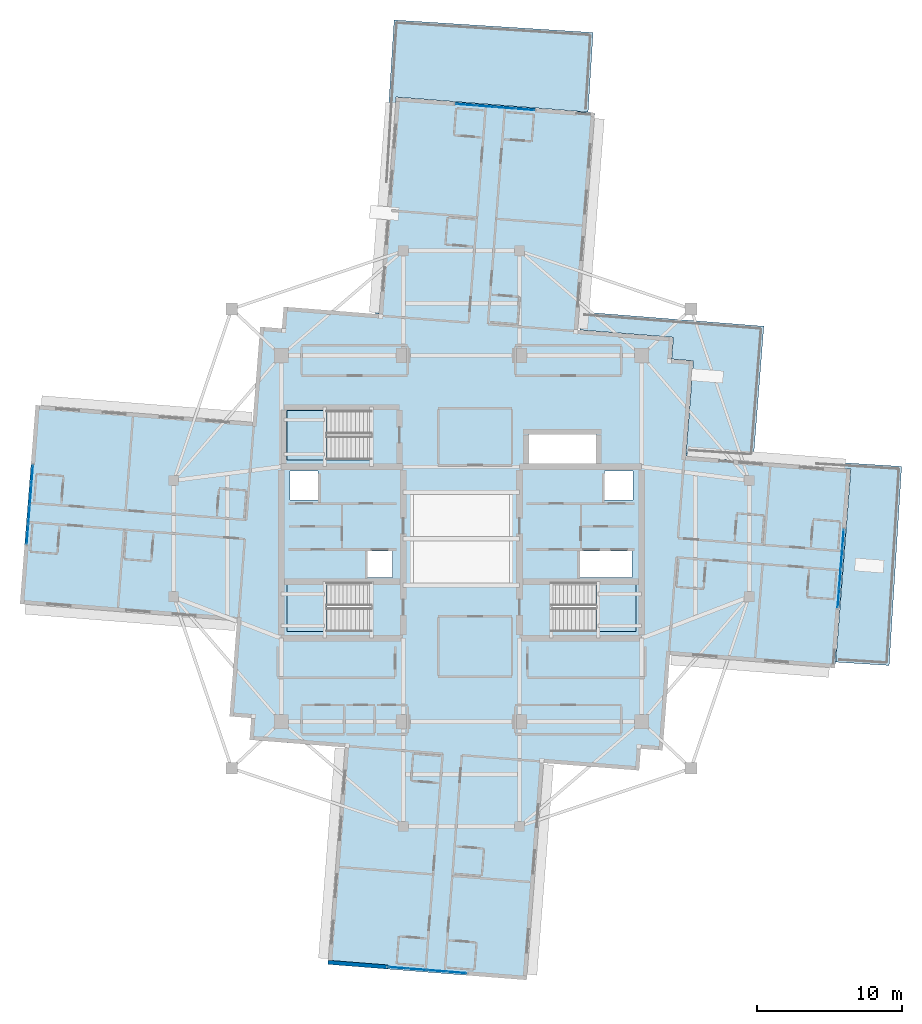
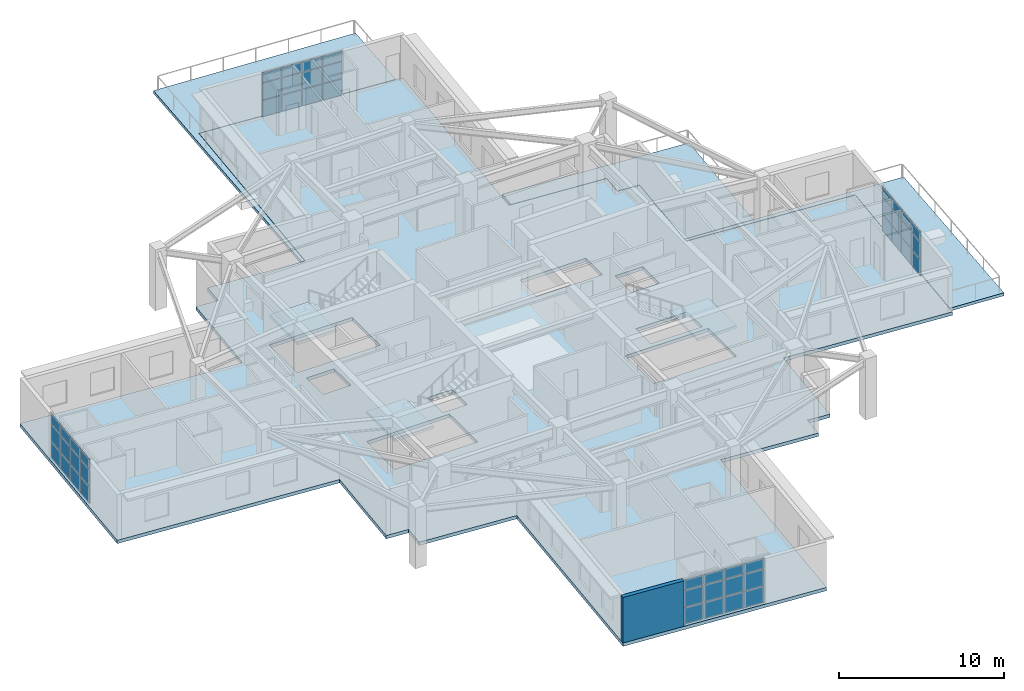
# One storey, part 12 of 23: 48 plates, 7 slabs, 1 wall, 7 elements without a shape of their own.
"""IFC4 building model written with IfcOpenShell, lengths in metres."""

from ifc_helpers import new_model, si_unit, direction, frame, frame_2d, origin, origin_2d, place, context, subcontext, project, spatial, polyline, rectangle, outline, extrude, material, layer, layer_set, type_object, element, aggregate, save


model = new_model("IFC4")

# Units and contexts
model_context = context("Model", 3, precision=1e-05, world=origin(), true_north=direction((0.0, 1.0)))
body_context = subcontext(model_context, "Body", "Model", "MODEL_VIEW")
ifc_project = project(units=[si_unit("LENGTHUNIT", "METRE"), si_unit("AREAUNIT", "SQUARE_METRE"), si_unit("VOLUMEUNIT", "CUBIC_METRE"), si_unit("PLANEANGLEUNIT", "RADIAN"), si_unit("MASSUNIT", "GRAM", prefix="KILO")], contexts=[model_context])

# Site, building, storey
site_placement = place(None, origin())
site = spatial("IfcSite", under=ifc_project, at=site_placement, CompositionType="ELEMENT")
building_placement = place(site_placement, origin())
building = spatial("IfcBuilding", under=site, at=building_placement, Name="Qingluan Cross Belvedere", CompositionType="ELEMENT")
storey_placement = place(building_placement, frame((0.0, 0.0, 245.39990234375)))
storey = spatial("IfcBuildingStorey", under=building, at=storey_placement, Name="L61", CompositionType="ELEMENT", Elevation=245.39990234375)

# Curtain wall, plates
ifc_material_1 = material(Name="Thermally broken aluminium and Low-E glass", Category="aluminium")
ifc_layer_1 = layer(ifc_material_1, 0.219970703125, Name="UnitisedCW_SkyLobbyHigh")
ifc_layer_set_1 = layer_set([ifc_layer_1], Name="Thermally broken aluminium and Low-E glass")
curtain_wall_type = type_object("IfcCurtainWallType", Name="UnitisedCW_SkyLobbyHigh", PredefinedType="USERDEFINED", material=ifc_layer_set_1)
curtain_wall_1_placement = place(storey_placement, origin())
curtain_wall_1 = element("IfcCurtainWall", 1, at=curtain_wall_1_placement, inside=storey, type_object=curtain_wall_type, Name="UnitisedCW_SkyLobbyHigh run env:cw:L61:E", ObjectType="UNITISED CURTAIN WALL", PredefinedType="USERDEFINED")
ifc_material_2 = material(Name="Triple-silver Low-E insulated glass", Category="glass")
ifc_layer_2 = layer(ifc_material_2, 0.035888671875, Name="CWVisionPanel_36")
ifc_layer_set_2 = layer_set([ifc_layer_2], Name="Triple-silver Low-E insulated glass")
plate_type = type_object("IfcPlateType", Name="CWVisionPanel_36", PredefinedType="CURTAIN_PANEL", material=ifc_layer_set_2)
plate_1_placement = place(storey_placement, frame((25.93896484375, -4.0908203125, 0.06005859375), z_axis=(0.0, 0.0, 1.0), x_axis=(0.078461828752, 0.996917118636, 0.0)))
plate_1 = element("IfcPlate", 2, at=plate_1_placement, type_object=plate_type, Name="CW-S2 panel 1.1", PredefinedType="CURTAIN_PANEL", context=body_context, shape_type="SweptSolid", body=[
    extrude(rectangle(XDim=1.281982421875, YDim=0.028076171875, at=origin_2d()), origin(), (0.0, 0.0, 1.0), 1.194091796875),
])
plate_2_placement = place(storey_placement, frame((25.93896484375, -4.0908203125, 1.31396484375), z_axis=(0.0, 0.0, 1.0), x_axis=(0.078461828752, 0.996917118636, 0.0)))
plate_2 = element("IfcPlate", 3, at=plate_2_placement, type_object=plate_type, Name="CW-S2 panel 1.2", PredefinedType="CURTAIN_PANEL", context=body_context, shape_type="SweptSolid", body=[
    extrude(rectangle(XDim=1.281982421875, YDim=0.028076171875, at=origin_2d()), origin(), (0.0, 0.0, 1.0), 1.22509765625),
])
plate_3_placement = place(storey_placement, frame((25.93896484375, -4.0908203125, 2.59912109375), z_axis=(0.0, 0.0, 1.0), x_axis=(0.078461828752, 0.996917118636, 0.0)))
plate_3 = element("IfcPlate", 4, at=plate_3_placement, type_object=plate_type, Name="CW-S2 panel 1.3", PredefinedType="CURTAIN_PANEL", context=body_context, shape_type="SweptSolid", body=[
    extrude(rectangle(XDim=1.281982421875, YDim=0.028076171875, at=origin_2d()), origin(), (0.0, 0.0, 1.0), 0.720947265625),
])
plate_4_placement = place(storey_placement, frame((26.04541015625, -2.738037109375, 0.06005859375), z_axis=(0.0, 0.0, 1.0), x_axis=(0.078461828752, 0.996917118636, 0.0)))
plate_4 = element("IfcPlate", 5, at=plate_4_placement, type_object=plate_type, Name="CW-S2 panel 2.1", PredefinedType="CURTAIN_PANEL", context=body_context, shape_type="SweptSolid", body=[
    extrude(rectangle(XDim=1.31201171875, YDim=0.028076171875, at=origin_2d()), origin(), (0.0, 0.0, 1.0), 1.194091796875),
])
plate_5_placement = place(storey_placement, frame((26.04541015625, -2.738037109375, 1.31396484375), z_axis=(0.0, 0.0, 1.0), x_axis=(0.078461828752, 0.996917118636, 0.0)))
plate_5 = element("IfcPlate", 6, at=plate_5_placement, type_object=plate_type, Name="CW-S2 panel 2.2", PredefinedType="CURTAIN_PANEL", context=body_context, shape_type="SweptSolid", body=[
    extrude(rectangle(XDim=1.31201171875, YDim=0.028076171875, at=origin_2d()), origin(), (0.0, 0.0, 1.0), 1.22509765625),
])
plate_6_placement = place(storey_placement, frame((26.04541015625, -2.738037109375, 2.59912109375), z_axis=(0.0, 0.0, 1.0), x_axis=(0.078461828752, 0.996917118636, 0.0)))
plate_6 = element("IfcPlate", 7, at=plate_6_placement, type_object=plate_type, Name="CW-S2 panel 2.3", PredefinedType="CURTAIN_PANEL", context=body_context, shape_type="SweptSolid", body=[
    extrude(rectangle(XDim=1.31201171875, YDim=0.028076171875, at=origin_2d()), origin(), (0.0, 0.0, 1.0), 0.720947265625),
])
plate_7_placement = place(storey_placement, frame((26.153076171875, -1.3701171875, 0.06005859375), z_axis=(0.0, 0.0, 1.0), x_axis=(0.078461828752, 0.996917118636, 0.0)))
plate_7 = element("IfcPlate", 8, at=plate_7_placement, type_object=plate_type, Name="CW-S2 panel 3.1", PredefinedType="CURTAIN_PANEL", context=body_context, shape_type="SweptSolid", body=[
    extrude(rectangle(XDim=1.31201171875, YDim=0.028076171875, at=origin_2d()), origin(), (0.0, 0.0, 1.0), 1.194091796875),
])
plate_8_placement = place(storey_placement, frame((26.153076171875, -1.3701171875, 1.31396484375), z_axis=(0.0, 0.0, 1.0), x_axis=(0.078461828752, 0.996917118636, 0.0)))
plate_8 = element("IfcPlate", 9, at=plate_8_placement, type_object=plate_type, Name="CW-S2 panel 3.2", PredefinedType="CURTAIN_PANEL", context=body_context, shape_type="SweptSolid", body=[
    extrude(rectangle(XDim=1.31201171875, YDim=0.028076171875, at=origin_2d()), origin(), (0.0, 0.0, 1.0), 1.22509765625),
])
plate_9_placement = place(storey_placement, frame((26.153076171875, -1.3701171875, 2.59912109375), z_axis=(0.0, 0.0, 1.0), x_axis=(0.078461828752, 0.996917118636, 0.0)))
plate_9 = element("IfcPlate", 10, at=plate_9_placement, type_object=plate_type, Name="CW-S2 panel 3.3", PredefinedType="CURTAIN_PANEL", context=body_context, shape_type="SweptSolid", body=[
    extrude(rectangle(XDim=1.31201171875, YDim=0.028076171875, at=origin_2d()), origin(), (0.0, 0.0, 1.0), 0.720947265625),
])
plate_10_placement = place(storey_placement, frame((26.259521484375, -0.017333984375, 0.06005859375), z_axis=(0.0, 0.0, 1.0), x_axis=(0.078461828752, 0.996917118636, 0.0)))
plate_10 = element("IfcPlate", 11, at=plate_10_placement, type_object=plate_type, Name="CW-S2 panel 4.1", PredefinedType="CURTAIN_PANEL", context=body_context, shape_type="SweptSolid", body=[
    extrude(rectangle(XDim=1.281982421875, YDim=0.028076171875, at=origin_2d()), origin(), (0.0, 0.0, 1.0), 1.194091796875),
])
plate_11_placement = place(storey_placement, frame((26.259521484375, -0.017333984375, 1.31396484375), z_axis=(0.0, 0.0, 1.0), x_axis=(0.078461828752, 0.996917118636, 0.0)))
plate_11 = element("IfcPlate", 12, at=plate_11_placement, type_object=plate_type, Name="CW-S2 panel 4.2", PredefinedType="CURTAIN_PANEL", context=body_context, shape_type="SweptSolid", body=[
    extrude(rectangle(XDim=1.281982421875, YDim=0.028076171875, at=origin_2d()), origin(), (0.0, 0.0, 1.0), 1.22509765625),
])
plate_12_placement = place(storey_placement, frame((26.259521484375, -0.017333984375, 2.59912109375), z_axis=(0.0, 0.0, 1.0), x_axis=(0.078461828752, 0.996917118636, 0.0)))
plate_12 = element("IfcPlate", 13, at=plate_12_placement, type_object=plate_type, Name="CW-S2 panel 4.3", PredefinedType="CURTAIN_PANEL", context=body_context, shape_type="SweptSolid", body=[
    extrude(rectangle(XDim=1.281982421875, YDim=0.028076171875, at=origin_2d()), origin(), (0.0, 0.0, 1.0), 0.720947265625),
])
aggregate(curtain_wall_1, [plate_1, plate_2, plate_3, plate_4, plate_5, plate_6, plate_7, plate_8, plate_9, plate_10, plate_11, plate_12])

curtain_wall_2_placement = place(storey_placement, origin())
curtain_wall_2 = element("IfcCurtainWall", 14, at=curtain_wall_2_placement, inside=storey, type_object=curtain_wall_type, Name="UnitisedCW_SkyLobbyHigh run env:cw:L61:N", ObjectType="UNITISED CURTAIN WALL", PredefinedType="USERDEFINED")
plate_13_placement = place(storey_placement, frame((4.373291015625, 29.52783203125, 0.06005859375), z_axis=(0.0, 0.0, 1.0), x_axis=(-0.996917118636, 0.078461828752, 0.0)))
plate_13 = element("IfcPlate", 15, at=plate_13_placement, type_object=plate_type, Name="CW-S2 panel 1.1", PredefinedType="CURTAIN_PANEL", context=body_context, shape_type="SweptSolid", body=[
    extrude(rectangle(XDim=1.281982421875, YDim=0.028076171875, at=origin_2d()), origin(), (0.0, 0.0, 1.0), 1.194091796875),
])
plate_14_placement = place(storey_placement, frame((4.373291015625, 29.52783203125, 1.31396484375), z_axis=(0.0, 0.0, 1.0), x_axis=(-0.996917118636, 0.078461828752, 0.0)))
plate_14 = element("IfcPlate", 16, at=plate_14_placement, type_object=plate_type, Name="CW-S2 panel 1.2", PredefinedType="CURTAIN_PANEL", context=body_context, shape_type="SweptSolid", body=[
    extrude(rectangle(XDim=1.281982421875, YDim=0.028076171875, at=origin_2d()), origin(), (0.0, 0.0, 1.0), 1.22509765625),
])
plate_15_placement = place(storey_placement, frame((4.373291015625, 29.52783203125, 2.59912109375), z_axis=(0.0, 0.0, 1.0), x_axis=(-0.996917118636, 0.078461828752, 0.0)))
plate_15 = element("IfcPlate", 17, at=plate_15_placement, type_object=plate_type, Name="CW-S2 panel 1.3", PredefinedType="CURTAIN_PANEL", context=body_context, shape_type="SweptSolid", body=[
    extrude(rectangle(XDim=1.281982421875, YDim=0.028076171875, at=origin_2d()), origin(), (0.0, 0.0, 1.0), 0.720947265625),
])
plate_16_placement = place(storey_placement, frame((3.0205078125, 29.63427734375, 0.06005859375), z_axis=(0.0, 0.0, 1.0), x_axis=(-0.996917118636, 0.078461828752, 0.0)))
plate_16 = element("IfcPlate", 18, at=plate_16_placement, type_object=plate_type, Name="CW-S2 panel 2.1", PredefinedType="CURTAIN_PANEL", context=body_context, shape_type="SweptSolid", body=[
    extrude(rectangle(XDim=1.31201171875, YDim=0.028076171875, at=origin_2d()), origin(), (0.0, 0.0, 1.0), 1.194091796875),
])
plate_17_placement = place(storey_placement, frame((3.0205078125, 29.63427734375, 1.31396484375), z_axis=(0.0, 0.0, 1.0), x_axis=(-0.996917118636, 0.078461828752, 0.0)))
plate_17 = element("IfcPlate", 19, at=plate_17_placement, type_object=plate_type, Name="CW-S2 panel 2.2", PredefinedType="CURTAIN_PANEL", context=body_context, shape_type="SweptSolid", body=[
    extrude(rectangle(XDim=1.31201171875, YDim=0.028076171875, at=origin_2d()), origin(), (0.0, 0.0, 1.0), 1.22509765625),
])
plate_18_placement = place(storey_placement, frame((3.0205078125, 29.63427734375, 2.59912109375), z_axis=(0.0, 0.0, 1.0), x_axis=(-0.996917118636, 0.078461828752, 0.0)))
plate_18 = element("IfcPlate", 20, at=plate_18_placement, type_object=plate_type, Name="CW-S2 panel 2.3", PredefinedType="CURTAIN_PANEL", context=body_context, shape_type="SweptSolid", body=[
    extrude(rectangle(XDim=1.31201171875, YDim=0.028076171875, at=origin_2d()), origin(), (0.0, 0.0, 1.0), 0.720947265625),
])
plate_19_placement = place(storey_placement, frame((1.652587890625, 29.741943359375, 0.06005859375), z_axis=(0.0, 0.0, 1.0), x_axis=(-0.996917118636, 0.078461828752, 0.0)))
plate_19 = element("IfcPlate", 21, at=plate_19_placement, type_object=plate_type, Name="CW-S2 panel 3.1", PredefinedType="CURTAIN_PANEL", context=body_context, shape_type="SweptSolid", body=[
    extrude(rectangle(XDim=1.31201171875, YDim=0.028076171875, at=origin_2d()), origin(), (0.0, 0.0, 1.0), 1.194091796875),
])
plate_20_placement = place(storey_placement, frame((1.652587890625, 29.741943359375, 1.31396484375), z_axis=(0.0, 0.0, 1.0), x_axis=(-0.996917118636, 0.078461828752, 0.0)))
plate_20 = element("IfcPlate", 22, at=plate_20_placement, type_object=plate_type, Name="CW-S2 panel 3.2", PredefinedType="CURTAIN_PANEL", context=body_context, shape_type="SweptSolid", body=[
    extrude(rectangle(XDim=1.31201171875, YDim=0.028076171875, at=origin_2d()), origin(), (0.0, 0.0, 1.0), 1.22509765625),
])
plate_21_placement = place(storey_placement, frame((1.652587890625, 29.741943359375, 2.59912109375), z_axis=(0.0, 0.0, 1.0), x_axis=(-0.996917118636, 0.078461828752, 0.0)))
plate_21 = element("IfcPlate", 23, at=plate_21_placement, type_object=plate_type, Name="CW-S2 panel 3.3", PredefinedType="CURTAIN_PANEL", context=body_context, shape_type="SweptSolid", body=[
    extrude(rectangle(XDim=1.31201171875, YDim=0.028076171875, at=origin_2d()), origin(), (0.0, 0.0, 1.0), 0.720947265625),
])
plate_22_placement = place(storey_placement, frame((0.2998046875, 29.848388671875, 0.06005859375), z_axis=(0.0, 0.0, 1.0), x_axis=(-0.996917118636, 0.078461828752, 0.0)))
plate_22 = element("IfcPlate", 24, at=plate_22_placement, type_object=plate_type, Name="CW-S2 panel 4.1", PredefinedType="CURTAIN_PANEL", context=body_context, shape_type="SweptSolid", body=[
    extrude(rectangle(XDim=1.281982421875, YDim=0.028076171875, at=origin_2d()), origin(), (0.0, 0.0, 1.0), 1.194091796875),
])
plate_23_placement = place(storey_placement, frame((0.2998046875, 29.848388671875, 1.31396484375), z_axis=(0.0, 0.0, 1.0), x_axis=(-0.996917118636, 0.078461828752, 0.0)))
plate_23 = element("IfcPlate", 25, at=plate_23_placement, type_object=plate_type, Name="CW-S2 panel 4.2", PredefinedType="CURTAIN_PANEL", context=body_context, shape_type="SweptSolid", body=[
    extrude(rectangle(XDim=1.281982421875, YDim=0.028076171875, at=origin_2d()), origin(), (0.0, 0.0, 1.0), 1.22509765625),
])
plate_24_placement = place(storey_placement, frame((0.2998046875, 29.848388671875, 2.59912109375), z_axis=(0.0, 0.0, 1.0), x_axis=(-0.996917118636, 0.078461828752, 0.0)))
plate_24 = element("IfcPlate", 26, at=plate_24_placement, type_object=plate_type, Name="CW-S2 panel 4.3", PredefinedType="CURTAIN_PANEL", context=body_context, shape_type="SweptSolid", body=[
    extrude(rectangle(XDim=1.281982421875, YDim=0.028076171875, at=origin_2d()), origin(), (0.0, 0.0, 1.0), 0.720947265625),
])
aggregate(curtain_wall_2, [plate_13, plate_14, plate_15, plate_16, plate_17, plate_18, plate_19, plate_20, plate_21, plate_22, plate_23, plate_24])

curtain_wall_3_placement = place(storey_placement, origin())
curtain_wall_3 = element("IfcCurtainWall", 27, at=curtain_wall_3_placement, inside=storey, type_object=curtain_wall_type, Name="UnitisedCW_SkyLobbyHigh run env:cw:L61:W", ObjectType="UNITISED CURTAIN WALL", PredefinedType="USERDEFINED")
plate_25_placement = place(storey_placement, frame((-29.52783203125, 4.373291015625, 0.06005859375), z_axis=(0.0, 0.0, 1.0), x_axis=(-0.078461828752, -0.996917118636, 0.0)))
plate_25 = element("IfcPlate", 28, at=plate_25_placement, type_object=plate_type, Name="CW-S2 panel 1.1", PredefinedType="CURTAIN_PANEL", context=body_context, shape_type="SweptSolid", body=[
    extrude(rectangle(XDim=1.281982421875, YDim=0.028076171875, at=origin_2d()), origin(), (0.0, 0.0, 1.0), 1.194091796875),
])
plate_26_placement = place(storey_placement, frame((-29.52783203125, 4.373291015625, 1.31396484375), z_axis=(0.0, 0.0, 1.0), x_axis=(-0.078461828752, -0.996917118636, 0.0)))
plate_26 = element("IfcPlate", 29, at=plate_26_placement, type_object=plate_type, Name="CW-S2 panel 1.2", PredefinedType="CURTAIN_PANEL", context=body_context, shape_type="SweptSolid", body=[
    extrude(rectangle(XDim=1.281982421875, YDim=0.028076171875, at=origin_2d()), origin(), (0.0, 0.0, 1.0), 1.22509765625),
])
plate_27_placement = place(storey_placement, frame((-29.52783203125, 4.373291015625, 2.59912109375), z_axis=(0.0, 0.0, 1.0), x_axis=(-0.078461828752, -0.996917118636, 0.0)))
plate_27 = element("IfcPlate", 30, at=plate_27_placement, type_object=plate_type, Name="CW-S2 panel 1.3", PredefinedType="CURTAIN_PANEL", context=body_context, shape_type="SweptSolid", body=[
    extrude(rectangle(XDim=1.281982421875, YDim=0.028076171875, at=origin_2d()), origin(), (0.0, 0.0, 1.0), 0.720947265625),
])
plate_28_placement = place(storey_placement, frame((-29.63427734375, 3.0205078125, 0.06005859375), z_axis=(0.0, 0.0, 1.0), x_axis=(-0.078461828752, -0.996917118636, 0.0)))
plate_28 = element("IfcPlate", 31, at=plate_28_placement, type_object=plate_type, Name="CW-S2 panel 2.1", PredefinedType="CURTAIN_PANEL", context=body_context, shape_type="SweptSolid", body=[
    extrude(rectangle(XDim=1.31201171875, YDim=0.028076171875, at=origin_2d()), origin(), (0.0, 0.0, 1.0), 1.194091796875),
])
plate_29_placement = place(storey_placement, frame((-29.63427734375, 3.0205078125, 1.31396484375), z_axis=(0.0, 0.0, 1.0), x_axis=(-0.078461828752, -0.996917118636, 0.0)))
plate_29 = element("IfcPlate", 32, at=plate_29_placement, type_object=plate_type, Name="CW-S2 panel 2.2", PredefinedType="CURTAIN_PANEL", context=body_context, shape_type="SweptSolid", body=[
    extrude(rectangle(XDim=1.31201171875, YDim=0.028076171875, at=origin_2d()), origin(), (0.0, 0.0, 1.0), 1.22509765625),
])
plate_30_placement = place(storey_placement, frame((-29.63427734375, 3.0205078125, 2.59912109375), z_axis=(0.0, 0.0, 1.0), x_axis=(-0.078461828752, -0.996917118636, 0.0)))
plate_30 = element("IfcPlate", 33, at=plate_30_placement, type_object=plate_type, Name="CW-S2 panel 2.3", PredefinedType="CURTAIN_PANEL", context=body_context, shape_type="SweptSolid", body=[
    extrude(rectangle(XDim=1.31201171875, YDim=0.028076171875, at=origin_2d()), origin(), (0.0, 0.0, 1.0), 0.720947265625),
])
plate_31_placement = place(storey_placement, frame((-29.741943359375, 1.652587890625, 0.06005859375), z_axis=(0.0, 0.0, 1.0), x_axis=(-0.078461828752, -0.996917118636, 0.0)))
plate_31 = element("IfcPlate", 34, at=plate_31_placement, type_object=plate_type, Name="CW-S2 panel 3.1", PredefinedType="CURTAIN_PANEL", context=body_context, shape_type="SweptSolid", body=[
    extrude(rectangle(XDim=1.31201171875, YDim=0.028076171875, at=origin_2d()), origin(), (0.0, 0.0, 1.0), 1.194091796875),
])
plate_32_placement = place(storey_placement, frame((-29.741943359375, 1.652587890625, 1.31396484375), z_axis=(0.0, 0.0, 1.0), x_axis=(-0.078461828752, -0.996917118636, 0.0)))
plate_32 = element("IfcPlate", 35, at=plate_32_placement, type_object=plate_type, Name="CW-S2 panel 3.2", PredefinedType="CURTAIN_PANEL", context=body_context, shape_type="SweptSolid", body=[
    extrude(rectangle(XDim=1.31201171875, YDim=0.028076171875, at=origin_2d()), origin(), (0.0, 0.0, 1.0), 1.22509765625),
])
plate_33_placement = place(storey_placement, frame((-29.741943359375, 1.652587890625, 2.59912109375), z_axis=(0.0, 0.0, 1.0), x_axis=(-0.078461828752, -0.996917118636, 0.0)))
plate_33 = element("IfcPlate", 36, at=plate_33_placement, type_object=plate_type, Name="CW-S2 panel 3.3", PredefinedType="CURTAIN_PANEL", context=body_context, shape_type="SweptSolid", body=[
    extrude(rectangle(XDim=1.31201171875, YDim=0.028076171875, at=origin_2d()), origin(), (0.0, 0.0, 1.0), 0.720947265625),
])
plate_34_placement = place(storey_placement, frame((-29.848388671875, 0.2998046875, 0.06005859375), z_axis=(0.0, 0.0, 1.0), x_axis=(-0.078461828752, -0.996917118636, 0.0)))
plate_34 = element("IfcPlate", 37, at=plate_34_placement, type_object=plate_type, Name="CW-S2 panel 4.1", PredefinedType="CURTAIN_PANEL", context=body_context, shape_type="SweptSolid", body=[
    extrude(rectangle(XDim=1.281982421875, YDim=0.028076171875, at=origin_2d()), origin(), (0.0, 0.0, 1.0), 1.194091796875),
])
plate_35_placement = place(storey_placement, frame((-29.848388671875, 0.2998046875, 1.31396484375), z_axis=(0.0, 0.0, 1.0), x_axis=(-0.078461828752, -0.996917118636, 0.0)))
plate_35 = element("IfcPlate", 38, at=plate_35_placement, type_object=plate_type, Name="CW-S2 panel 4.2", PredefinedType="CURTAIN_PANEL", context=body_context, shape_type="SweptSolid", body=[
    extrude(rectangle(XDim=1.281982421875, YDim=0.028076171875, at=origin_2d()), origin(), (0.0, 0.0, 1.0), 1.22509765625),
])
plate_36_placement = place(storey_placement, frame((-29.848388671875, 0.2998046875, 2.59912109375), z_axis=(0.0, 0.0, 1.0), x_axis=(-0.078461828752, -0.996917118636, 0.0)))
plate_36 = element("IfcPlate", 39, at=plate_36_placement, type_object=plate_type, Name="CW-S2 panel 4.3", PredefinedType="CURTAIN_PANEL", context=body_context, shape_type="SweptSolid", body=[
    extrude(rectangle(XDim=1.281982421875, YDim=0.028076171875, at=origin_2d()), origin(), (0.0, 0.0, 1.0), 0.720947265625),
])
aggregate(curtain_wall_3, [plate_25, plate_26, plate_27, plate_28, plate_29, plate_30, plate_31, plate_32, plate_33, plate_34, plate_35, plate_36])

curtain_wall_4_placement = place(storey_placement, origin())
curtain_wall_4 = element("IfcCurtainWall", 40, at=curtain_wall_4_placement, inside=storey, type_object=curtain_wall_type, Name="UnitisedCW_SkyLobbyHigh run env:cw:L61:S", ObjectType="UNITISED CURTAIN WALL", PredefinedType="USERDEFINED")
plate_37_placement = place(storey_placement, frame((-4.373291015625, -29.52783203125, 0.06005859375), z_axis=(0.0, 0.0, 1.0), x_axis=(0.996917118636, -0.078461828752, 0.0)))
plate_37 = element("IfcPlate", 41, at=plate_37_placement, type_object=plate_type, Name="CW-S2 panel 1.1", PredefinedType="CURTAIN_PANEL", context=body_context, shape_type="SweptSolid", body=[
    extrude(rectangle(XDim=1.281982421875, YDim=0.028076171875, at=origin_2d()), origin(), (0.0, 0.0, 1.0), 1.194091796875),
])
plate_38_placement = place(storey_placement, frame((-4.373291015625, -29.52783203125, 1.31396484375), z_axis=(0.0, 0.0, 1.0), x_axis=(0.996917118636, -0.078461828752, 0.0)))
plate_38 = element("IfcPlate", 42, at=plate_38_placement, type_object=plate_type, Name="CW-S2 panel 1.2", PredefinedType="CURTAIN_PANEL", context=body_context, shape_type="SweptSolid", body=[
    extrude(rectangle(XDim=1.281982421875, YDim=0.028076171875, at=origin_2d()), origin(), (0.0, 0.0, 1.0), 1.22509765625),
])
plate_39_placement = place(storey_placement, frame((-4.373291015625, -29.52783203125, 2.59912109375), z_axis=(0.0, 0.0, 1.0), x_axis=(0.996917118636, -0.078461828752, 0.0)))
plate_39 = element("IfcPlate", 43, at=plate_39_placement, type_object=plate_type, Name="CW-S2 panel 1.3", PredefinedType="CURTAIN_PANEL", context=body_context, shape_type="SweptSolid", body=[
    extrude(rectangle(XDim=1.281982421875, YDim=0.028076171875, at=origin_2d()), origin(), (0.0, 0.0, 1.0), 0.720947265625),
])
plate_40_placement = place(storey_placement, frame((-3.0205078125, -29.63427734375, 0.06005859375), z_axis=(0.0, 0.0, 1.0), x_axis=(0.996917118636, -0.078461828752, 0.0)))
plate_40 = element("IfcPlate", 44, at=plate_40_placement, type_object=plate_type, Name="CW-S2 panel 2.1", PredefinedType="CURTAIN_PANEL", context=body_context, shape_type="SweptSolid", body=[
    extrude(rectangle(XDim=1.31201171875, YDim=0.028076171875, at=origin_2d()), origin(), (0.0, 0.0, 1.0), 1.194091796875),
])
plate_41_placement = place(storey_placement, frame((-3.0205078125, -29.63427734375, 1.31396484375), z_axis=(0.0, 0.0, 1.0), x_axis=(0.996917118636, -0.078461828752, 0.0)))
plate_41 = element("IfcPlate", 45, at=plate_41_placement, type_object=plate_type, Name="CW-S2 panel 2.2", PredefinedType="CURTAIN_PANEL", context=body_context, shape_type="SweptSolid", body=[
    extrude(rectangle(XDim=1.31201171875, YDim=0.028076171875, at=origin_2d()), origin(), (0.0, 0.0, 1.0), 1.22509765625),
])
plate_42_placement = place(storey_placement, frame((-3.0205078125, -29.63427734375, 2.59912109375), z_axis=(0.0, 0.0, 1.0), x_axis=(0.996917118636, -0.078461828752, 0.0)))
plate_42 = element("IfcPlate", 46, at=plate_42_placement, type_object=plate_type, Name="CW-S2 panel 2.3", PredefinedType="CURTAIN_PANEL", context=body_context, shape_type="SweptSolid", body=[
    extrude(rectangle(XDim=1.31201171875, YDim=0.028076171875, at=origin_2d()), origin(), (0.0, 0.0, 1.0), 0.720947265625),
])
plate_43_placement = place(storey_placement, frame((-1.652587890625, -29.741943359375, 0.06005859375), z_axis=(0.0, 0.0, 1.0), x_axis=(0.996917118636, -0.078461828752, 0.0)))
plate_43 = element("IfcPlate", 47, at=plate_43_placement, type_object=plate_type, Name="CW-S2 panel 3.1", PredefinedType="CURTAIN_PANEL", context=body_context, shape_type="SweptSolid", body=[
    extrude(rectangle(XDim=1.31201171875, YDim=0.028076171875, at=origin_2d()), origin(), (0.0, 0.0, 1.0), 1.194091796875),
])
plate_44_placement = place(storey_placement, frame((-1.652587890625, -29.741943359375, 1.31396484375), z_axis=(0.0, 0.0, 1.0), x_axis=(0.996917118636, -0.078461828752, 0.0)))
plate_44 = element("IfcPlate", 48, at=plate_44_placement, type_object=plate_type, Name="CW-S2 panel 3.2", PredefinedType="CURTAIN_PANEL", context=body_context, shape_type="SweptSolid", body=[
    extrude(rectangle(XDim=1.31201171875, YDim=0.028076171875, at=origin_2d()), origin(), (0.0, 0.0, 1.0), 1.22509765625),
])
plate_45_placement = place(storey_placement, frame((-1.652587890625, -29.741943359375, 2.59912109375), z_axis=(0.0, 0.0, 1.0), x_axis=(0.996917118636, -0.078461828752, 0.0)))
plate_45 = element("IfcPlate", 49, at=plate_45_placement, type_object=plate_type, Name="CW-S2 panel 3.3", PredefinedType="CURTAIN_PANEL", context=body_context, shape_type="SweptSolid", body=[
    extrude(rectangle(XDim=1.31201171875, YDim=0.028076171875, at=origin_2d()), origin(), (0.0, 0.0, 1.0), 0.720947265625),
])
plate_46_placement = place(storey_placement, frame((-0.2998046875, -29.848388671875, 0.06005859375), z_axis=(0.0, 0.0, 1.0), x_axis=(0.996917118636, -0.078461828752, 0.0)))
plate_46 = element("IfcPlate", 50, at=plate_46_placement, type_object=plate_type, Name="CW-S2 panel 4.1", PredefinedType="CURTAIN_PANEL", context=body_context, shape_type="SweptSolid", body=[
    extrude(rectangle(XDim=1.281982421875, YDim=0.028076171875, at=origin_2d()), origin(), (0.0, 0.0, 1.0), 1.194091796875),
])
plate_47_placement = place(storey_placement, frame((-0.2998046875, -29.848388671875, 1.31396484375), z_axis=(0.0, 0.0, 1.0), x_axis=(0.996917118636, -0.078461828752, 0.0)))
plate_47 = element("IfcPlate", 51, at=plate_47_placement, type_object=plate_type, Name="CW-S2 panel 4.2", PredefinedType="CURTAIN_PANEL", context=body_context, shape_type="SweptSolid", body=[
    extrude(rectangle(XDim=1.281982421875, YDim=0.028076171875, at=origin_2d()), origin(), (0.0, 0.0, 1.0), 1.22509765625),
])
plate_48_placement = place(storey_placement, frame((-0.2998046875, -29.848388671875, 2.59912109375), z_axis=(0.0, 0.0, 1.0), x_axis=(0.996917118636, -0.078461828752, 0.0)))
plate_48 = element("IfcPlate", 52, at=plate_48_placement, type_object=plate_type, Name="CW-S2 panel 4.3", PredefinedType="CURTAIN_PANEL", context=body_context, shape_type="SweptSolid", body=[
    extrude(rectangle(XDim=1.281982421875, YDim=0.028076171875, at=origin_2d()), origin(), (0.0, 0.0, 1.0), 0.720947265625),
])
aggregate(curtain_wall_4, [plate_37, plate_38, plate_39, plate_40, plate_41, plate_42, plate_43, plate_44, plate_45, plate_46, plate_47, plate_48])

# Slab
ifc_material_3 = material(Name="Concrete C40", Category="concrete")
ifc_layer_3 = layer(ifc_material_3, 0.25, Name="FloorSlab_250")
ifc_layer_set_3 = layer_set([ifc_layer_3], Name="Concrete C40")
slab_type_1 = type_object("IfcSlabType", Name="FloorSlab_250", PredefinedType="FLOOR", material=ifc_layer_set_3)
slab_1_placement = place(storey_placement, frame((0.0, 0.0, -0.25)))
element("IfcSlab", 53, at=slab_1_placement, inside=storey, type_object=slab_type_1, Name="Structural floor slab L61", PredefinedType="FLOOR", context=body_context, shape_type="SweptSolid", body=[
    extrude(outline(polyline([(4.491455078125, -30.365966796875), (5.666748046875, -15.43212890625), (12.226318359375, -15.948486328125), (12.343994140625, -14.453125), (13.839599609375, -14.57080078125), (14.355712890625, -8.010986328125), (25.70068359375, -8.90380859375), (26.777099609375, 4.773681640625), (15.43212890625, 5.666748046875), (15.948486328125, 12.226318359375), (14.453125, 12.343994140625), (14.57080078125, 13.839599609375), (8.010986328125, 14.355712890625), (9.186279296875, 29.28955078125), (-4.491455078125, 30.365966796875), (-5.666748046875, 15.43212890625), (-12.226318359375, 15.948486328125), (-12.343994140625, 14.453125), (-13.839599609375, 14.57080078125), (-14.355712890625, 8.010986328125), (-29.28955078125, 9.186279296875), (-30.365966796875, -4.491455078125), (-15.43212890625, -5.666748046875), (-15.948486328125, -12.226318359375), (-14.453125, -12.343994140625), (-14.57080078125, -13.839599609375), (-8.010986328125, -14.355712890625), (-9.186279296875, -29.28955078125), (4.491455078125, -30.365966796875)]), holes=[polyline([(-12.0, -3.0), (-6.179931640625, -3.0), (-6.179931640625, -6.39990234375), (-12.0, -6.39990234375), (-12.0, -3.0)]), polyline([(6.179931640625, -3.0), (12.0, -3.0), (12.0, -6.39990234375), (6.179931640625, -6.39990234375), (6.179931640625, -3.0)]), polyline([(-12.0, 8.820068359375), (-6.179931640625, 8.820068359375), (-6.179931640625, 5.419921875), (-12.0, 5.419921875), (-12.0, 8.820068359375)]), polyline([(-11.800048828125, 4.64990234375), (-9.85009765625, 4.64990234375), (-9.85009765625, 2.64990234375), (-11.800048828125, 2.64990234375), (-11.800048828125, 4.64990234375)]), polyline([(9.85009765625, 4.64990234375), (11.800048828125, 4.64990234375), (11.800048828125, 2.64990234375), (9.85009765625, 2.64990234375), (9.85009765625, 4.64990234375)]), polyline([(-6.449951171875, -0.840087890625), (-4.75, -0.840087890625), (-4.75, -2.659912109375), (-6.449951171875, -2.659912109375), (-6.449951171875, -0.840087890625)]), polyline([(8.14990234375, -0.840087890625), (11.75, -0.840087890625), (11.75, -2.659912109375), (8.14990234375, -2.659912109375), (8.14990234375, -0.840087890625)]), polyline([(4.64990234375, 7.14990234375), (9.25, 7.14990234375), (9.25, 5.14990234375), (4.64990234375, 5.14990234375), (4.64990234375, 7.14990234375)])]), origin(), (0.0, 0.0, 1.0), 0.25),
])

# Stair, slab
ifc_material_4 = material(Name="Concrete C40", Category="concrete")
stair_type = type_object("IfcStairType", Name="CoreDoglegStair_1620", PredefinedType="HALF_TURN_STAIR", material=ifc_material_4)
stair_1_placement = place(storey_placement, origin())
stair_1 = element("IfcStair", 54, at=stair_1_placement, inside=storey, type_object=stair_type, Name="L61 ST1", PredefinedType="HALF_TURN_STAIR")
ifc_material_5 = material(Name="Concrete C40", Category="concrete")
ifc_layer_4 = layer(ifc_material_5, 0.179931640625, Name="StairLandingSlab_180")
ifc_layer_set_4 = layer_set([ifc_layer_4], Name="Concrete C40")
slab_type_2 = type_object("IfcSlabType", Name="StairLandingSlab_180", PredefinedType="LANDING", material=ifc_layer_set_4)
slab_2_placement = place(storey_placement, frame((0.0, 0.0, 2.050048828125)))
slab_2 = element("IfcSlab", 55, at=slab_2_placement, type_object=slab_type_2, Name="ST1 landing 1", PredefinedType="LANDING", context=body_context, shape_type="SweptSolid", body=[
    extrude(outline(polyline([(-9.260009765625, -3.0), (-12.0, -3.0), (-12.0, -6.39990234375), (-9.260009765625, -6.39990234375), (-9.260009765625, -3.0)])), origin(), (0.0, 0.0, 1.0), 0.199951171875),
])
aggregate(stair_1, [slab_2])

stair_2_placement = place(storey_placement, origin())
stair_2 = element("IfcStair", 56, at=stair_2_placement, inside=storey, type_object=stair_type, Name="L61 ST2", PredefinedType="HALF_TURN_STAIR")
slab_3_placement = place(storey_placement, frame((0.0, 0.0, 2.050048828125)))
slab_3 = element("IfcSlab", 57, at=slab_3_placement, type_object=slab_type_2, Name="ST2 landing 1", PredefinedType="LANDING", context=body_context, shape_type="SweptSolid", body=[
    extrude(outline(polyline([(9.260009765625, -6.39990234375), (12.0, -6.39990234375), (12.0, -3.0), (9.260009765625, -3.0), (9.260009765625, -6.39990234375)])), origin(), (0.0, 0.0, 1.0), 0.199951171875),
])
aggregate(stair_2, [slab_3])

stair_3_placement = place(storey_placement, origin())
stair_3 = element("IfcStair", 58, at=stair_3_placement, inside=storey, type_object=stair_type, Name="L61 ST3", PredefinedType="HALF_TURN_STAIR")
slab_4_placement = place(storey_placement, frame((0.0, 0.0, 2.050048828125)))
slab_4 = element("IfcSlab", 59, at=slab_4_placement, type_object=slab_type_2, Name="ST3 landing 1", PredefinedType="LANDING", context=body_context, shape_type="SweptSolid", body=[
    extrude(outline(polyline([(-9.260009765625, 8.820068359375), (-12.0, 8.820068359375), (-12.0, 5.419921875), (-9.260009765625, 5.419921875), (-9.260009765625, 8.820068359375)])), origin(), (0.0, 0.0, 1.0), 0.199951171875),
])
aggregate(stair_3, [slab_4])

# Slabs
ifc_material_6 = material(Name="Concrete C40", Category="concrete")
ifc_layer_5 = layer(ifc_material_6, 0.219970703125, Name="TerraceSlab_220")
ifc_layer_set_5 = layer_set([ifc_layer_5], Name="Concrete C40")
slab_type_3 = type_object("IfcSlabType", Name="TerraceSlab_220", PredefinedType="FLOOR", material=ifc_layer_set_5)
slab_5_placement = place(storey_placement, frame((0.0, 0.0, -0.219970703125)))
element("IfcSlab", 60, at=slab_5_placement, inside=storey, type_object=slab_type_3, Name="Stepped setback terrace L61-1", PredefinedType="FLOOR", context=body_context, shape_type="SweptSolid", body=[
    extrude(outline(polyline([(30.291748046875, 4.9677734375), (15.470703125, 5.900146484375), (15.45361328125, 5.68505859375), (26.791015625, 4.7880859375), (25.7529296875, -8.493896484375), (29.43017578125, -8.72509765625), (30.291748046875, 4.9677734375)])), origin(), (0.0, 0.0, 1.0), 0.219970703125),
])
slab_6_placement = place(storey_placement, frame((0.0, 0.0, -0.219970703125)))
element("IfcSlab", 61, at=slab_6_placement, inside=storey, type_object=slab_type_3, Name="Stepped setback terrace L61-2", PredefinedType="FLOOR", context=body_context, shape_type="SweptSolid", body=[
    extrude(outline(polyline([(-4.628662109375, 35.680908203125), (-5.900146484375, 15.470703125), (-5.68505859375, 15.45361328125), (-4.507080078125, 30.37841796875), (8.719970703125, 29.34619140625), (9.064208984375, 34.819580078125), (-4.628662109375, 35.680908203125)])), origin(), (0.0, 0.0, 1.0), 0.219970703125),
])
slab_7_placement = place(storey_placement, frame((0.0, 0.0, -0.219970703125)))
element("IfcSlab", 62, at=slab_7_placement, inside=storey, type_object=slab_type_3, Name="Spiralling winter-garden terrace slab L61", PredefinedType="FLOOR", context=body_context, shape_type="SweptSolid", body=[
    extrude(outline(polyline([(8.1513671875, 14.354736328125), (14.573486328125, 13.84912109375), (14.580810546875, 13.838623046875), (14.4638671875, 12.353271484375), (15.95654296875, 12.232177734375), (15.460693359375, 5.9013671875), (15.47119140625, 5.91015625), (20.102783203125, 5.618896484375), (20.810546875, 14.6123046875), (8.24951171875, 15.600830078125), (8.1513671875, 14.354736328125)])), origin(), (0.0, 0.0, 1.0), 0.219970703125),
])

# Wall
ifc_material_7 = material(Name="Precast concrete C45", Category="concrete")
ifc_layer_6 = layer(ifc_material_7, 0.280029296875, Name="PrecastFacadeWall_280")
ifc_layer_set_6 = layer_set([ifc_layer_6], Name="Precast concrete C45")
wall_type = type_object("IfcWallType", Name="PrecastFacadeWall_280", PredefinedType="STANDARD", material=ifc_layer_set_6)
wall_placement = place(storey_placement, frame((-9.17529296875, -29.14990234375, 0.0), z_axis=(0.0, 0.0, 1.0), x_axis=(0.996916125428, -0.078474447191, 0.0)))
element("IfcWall", 63, at=wall_placement, inside=storey, type_object=wall_type, Name="Terrace portal jamb wall L61-S1", PredefinedType="STANDARD", context=body_context, shape_type="SweptSolid", body=[
    extrude(rectangle(XDim=4.115966796875, YDim=0.280029296875, at=frame_2d((2.05810546875, 0.0))), origin(), (0.0, 0.0, 1.0), 3.380126953125),
])

save(model, "model.ifc")
